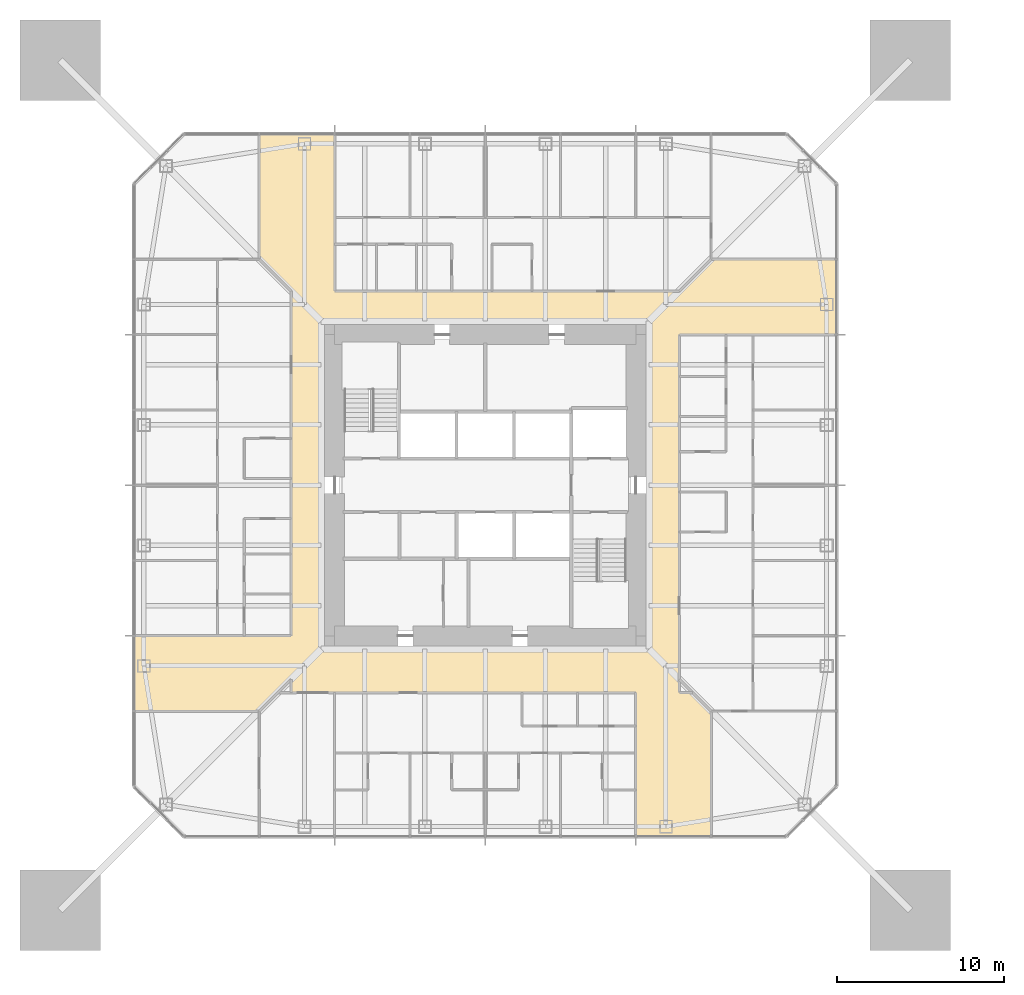
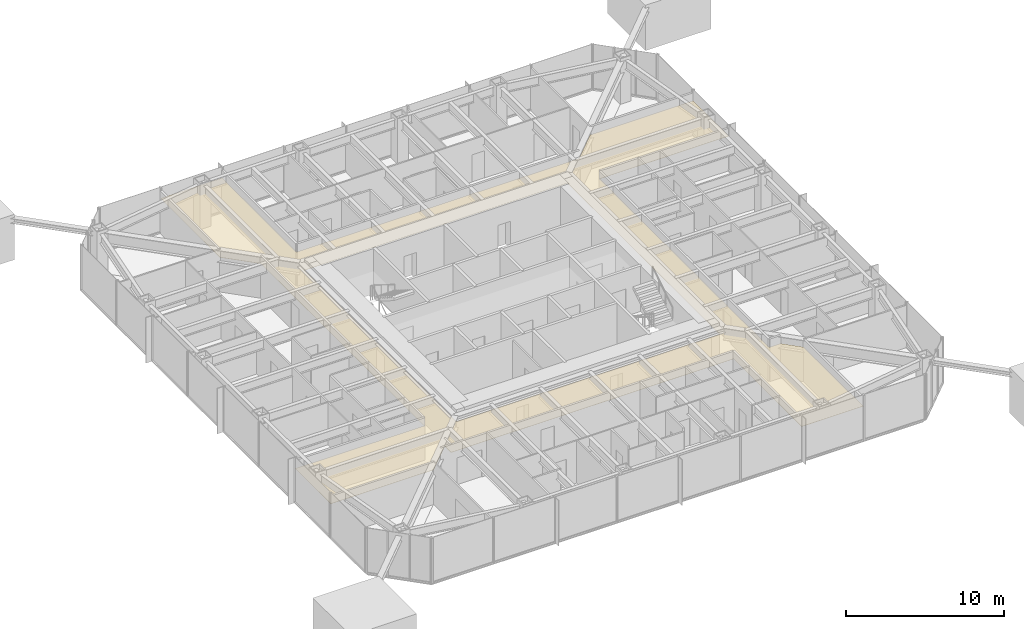
# One storey, part 22 of 25: 1 covering.
"""IFC4 building model written with IfcOpenShell, lengths in metres."""

from ifc_helpers import new_model, si_unit, direction, frame, origin, place, context, subcontext, project, spatial, polyline, outline, extrude, material, layer, layer_set, type_object, element, save


model = new_model("IFC4")

# Units and contexts
model_context = context("Model", 3, precision=1e-05, world=origin(), true_north=direction((0.0, 1.0)))
body_context = subcontext(model_context, "Body", "Model", "MODEL_VIEW")
ifc_project = project(units=[si_unit("LENGTHUNIT", "METRE"), si_unit("AREAUNIT", "SQUARE_METRE"), si_unit("VOLUMEUNIT", "CUBIC_METRE"), si_unit("PLANEANGLEUNIT", "RADIAN"), si_unit("MASSUNIT", "GRAM", prefix="KILO")], contexts=[model_context])

# Site, building, storey
site_placement = place(None, origin())
site = spatial("IfcSite", under=ifc_project, at=site_placement, CompositionType="ELEMENT")
building_placement = place(site_placement, origin())
building = spatial("IfcBuilding", under=site, at=building_placement, Name="Iwan Alto Co-Living Towers", CompositionType="ELEMENT")
storey_placement = place(building_placement, frame((0.0, 0.0, 87.5)))
storey = spatial("IfcBuildingStorey", under=building, at=storey_placement, Name="L23", CompositionType="ELEMENT", Elevation=87.5)

# Covering
ifc_material = material(Name="Gypsum plasterboard on steel grid", Category="steel")
ifc_layer = layer(ifc_material, 0.014892578125)
ifc_layer_set = layer_set([ifc_layer], Name="SUSPENDED PLASTERBOARD CEILING 15")
covering_type = type_object("IfcCoveringType", Name="SUSPENDED PLASTERBOARD CEILING 15", PredefinedType="CEILING", material=ifc_layer_set)
covering_placement = place(storey_placement, frame((0.0, 0.0, 2.60009765625)))
element("IfcCovering", 1, at=covering_placement, inside=storey, type_object=covering_type, Name="Ceiling Corridor L23", PredefinedType="CEILING", context=body_context, shape_type="SweptSolid", body=[
    extrude(outline(polyline([(13.5, -21.0), (9.0, -21.0), (9.0, -12.39990234375), (-11.60009765625, -12.39990234375), (-11.60009765625, -11.60009765625), (-13.5, -13.5), (-21.0, -13.5), (-21.0, -9.0), (-11.60009765625, -9.0), (-11.60009765625, 11.60009765625), (-13.5, 13.5), (-13.5, 21.0), (-9.0, 21.0), (-9.0, 11.60009765625), (11.60009765625, 11.60009765625), (13.5, 13.5), (21.0, 13.5), (21.0, 9.0), (11.60009765625, 9.0), (11.60009765625, -12.39990234375), (12.39990234375, -12.39990234375), (13.5, -13.5), (13.5, -21.0)]), holes=[polyline([(9.60009765625, -9.60009765625), (9.60009765625, 9.60009765625), (-9.60009765625, 9.60009765625), (-9.60009765625, -9.60009765625), (9.60009765625, -9.60009765625)])]), origin(), (0.0, 0.0, 1.0), 0.014892578125),
])

save(model, "model.ifc")
